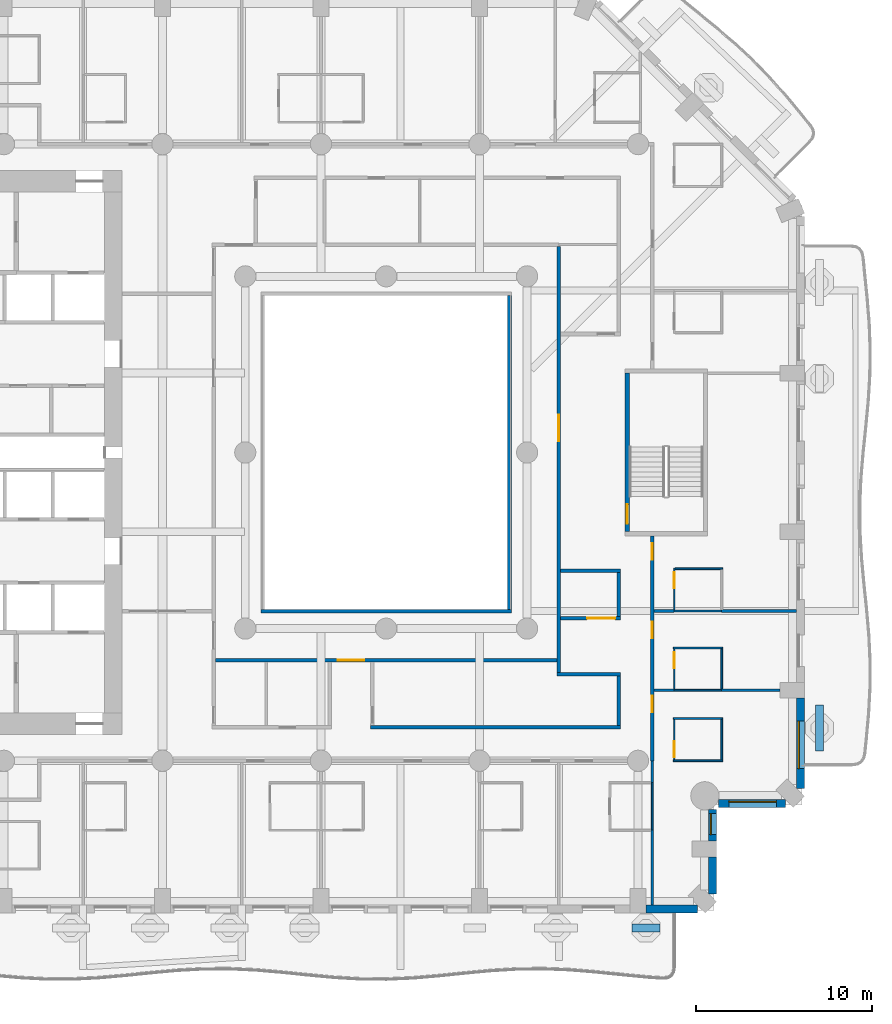
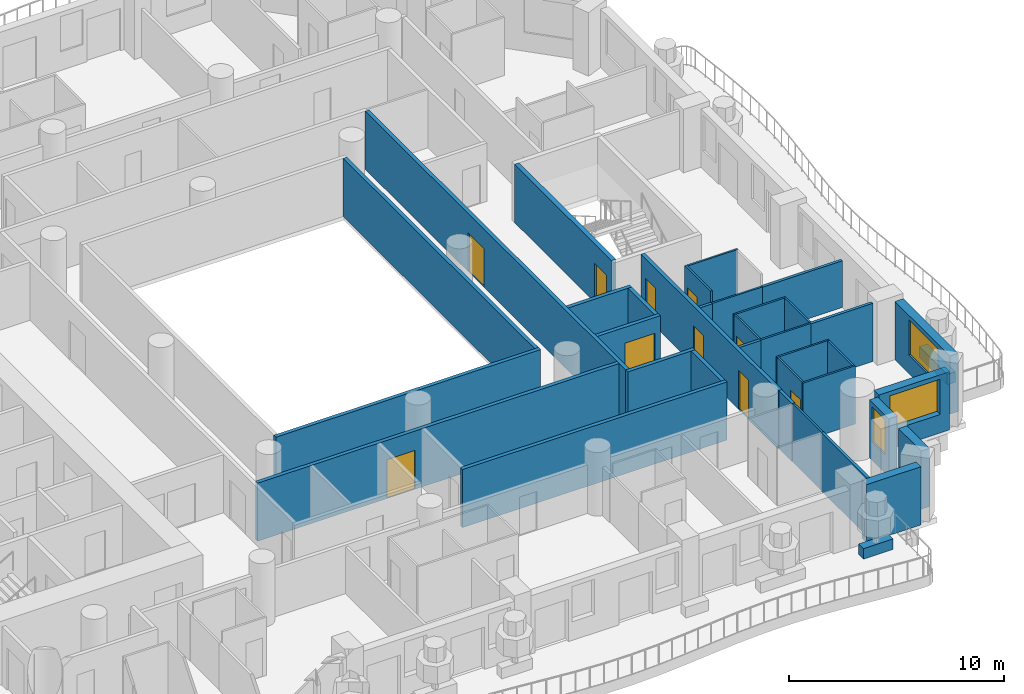
# One storey, part 6 of 20: 37 walls, 10 doors, 3 windows, 13 openings.
"""IFC4 building model written with IfcOpenShell, lengths in metres."""

from ifc_helpers import new_model, si_unit, direction, frame, frame_2d, origin, place, context, subcontext, project, spatial, rectangle, extrude, material, layer, layer_set, type_object, element, fill, save


model = new_model("IFC4")

# Units and contexts
model_context = context("Model", 3, precision=1e-05, world=origin(), true_north=direction((0.0, 1.0)))
body_context = subcontext(model_context, "Body", "Model", "MODEL_VIEW")
ifc_project = project(units=[si_unit("LENGTHUNIT", "METRE"), si_unit("AREAUNIT", "SQUARE_METRE"), si_unit("VOLUMEUNIT", "CUBIC_METRE"), si_unit("PLANEANGLEUNIT", "RADIAN"), si_unit("MASSUNIT", "GRAM", prefix="KILO")], contexts=[model_context])

# Site, building, storey
site_placement = place(None, origin())
site = spatial("IfcSite", under=ifc_project, at=site_placement, CompositionType="ELEMENT")
building_placement = place(site_placement, origin())
building = spatial("IfcBuilding", under=site, at=building_placement, Name="Cypress Arch Tower", CompositionType="ELEMENT")
storey_placement = place(building_placement, frame((0.0, 0.0, 91.5)))
storey = spatial("IfcBuildingStorey", under=building, at=storey_placement, Name="L17", CompositionType="ELEMENT", Elevation=91.5)

# Walls
ifc_material_1 = material(Name="Concrete C40/50, waterproofed", Category="concrete")
ifc_layer_1 = layer(ifc_material_1, 0.449951171875)
ifc_layer_set_1 = layer_set([ifc_layer_1], Name="Balcony planter wall PW450")
wall_type_1 = type_object("IfcWallType", Name="Balcony planter wall PW450", PredefinedType="SOLIDWALL", material=ifc_layer_set_1)
wall_1_placement = place(storey_placement, frame((14.949951171875, -27.0, 0.0), z_axis=(0.0, 0.0, 1.0), x_axis=(1.0, 0.0, 0.0)))
element("IfcWall", 1, at=wall_1_placement, inside=storey, type_object=wall_type_1, Name="Balcony planter wall L17-A03.7", PredefinedType="SOLIDWALL", context=body_context, shape_type="SweptSolid", body=[
    extrude(rectangle(XDim=1.60009765625, YDim=0.449951171875, at=frame_2d((0.800048828125, 0.0))), origin(), (0.0, 0.0, 1.0), 0.60009765625),
])
wall_2_placement = place(storey_placement, frame((25.60009765625, -16.949951171875, 0.0), z_axis=(0.0, 0.0, 1.0), x_axis=(0.0, 1.0, 0.0)))
element("IfcWall", 2, at=wall_2_placement, inside=storey, type_object=wall_type_1, Name="Balcony planter wall L17-A06.1", PredefinedType="SOLIDWALL", context=body_context, shape_type="SweptSolid", body=[
    extrude(rectangle(XDim=2.6142578125, YDim=0.449951171875, at=frame_2d((1.30712890625, 0.0))), origin(), (0.0, 0.0, 1.0), 0.60009765625),
])
ifc_material_2 = material(Name="Brick (red buff blend)", Category="masonry")
ifc_layer_2 = layer(ifc_material_2, 0.449951171875)
ifc_layer_set_2 = layer_set([ifc_layer_2], Name="Brick pier and spandrel wall BW450")
wall_type_2 = type_object("IfcWallType", Name="Brick pier and spandrel wall BW450", PredefinedType="SOLIDWALL", material=ifc_layer_set_2)
wall_3_placement = place(storey_placement, frame((15.75, -25.925048828125, 0.0), z_axis=(0.0, 0.0, 1.0), x_axis=(1.0, 0.0, 0.0)))
element("IfcWall", 3, at=wall_3_placement, inside=storey, type_object=wall_type_2, Name="Brick wall L17 A03.5", PredefinedType="SOLIDWALL", context=body_context, shape_type="SweptSolid", body=[
    extrude(rectangle(XDim=2.91357421875, YDim=0.449951171875, at=frame_2d((1.456787109375, 0.0))), origin(), (0.0, 0.0, 1.0), 3.300048828125),
])
wall_4_placement = place(storey_placement, frame((19.52490234375, -25.063720703125, 0.0), z_axis=(0.0, 0.0, 1.0), x_axis=(0.0, 1.0, 0.0)))
element("IfcWall", 4, at=wall_4_placement, inside=storey, type_object=wall_type_2, Name="Brick wall L17 A04.0", PredefinedType="SOLIDWALL", context=body_context, shape_type="SweptSolid", body=[
    extrude(rectangle(XDim=2.11376953125, YDim=0.449951171875, at=frame_2d((1.056884765625, 0.0))), origin(), (0.0, 0.0, 1.0), 3.300048828125),
])

# Wall, opening, window
wall_5_placement = place(storey_placement, frame((19.52490234375, -22.050048828125, 0.0), z_axis=(0.0, 0.0, 1.0), x_axis=(0.0, 1.0, 0.0)))
wall_5 = element("IfcWall", 5, at=wall_5_placement, inside=storey, type_object=wall_type_2, Name="Brick wall L17 A04.1", PredefinedType="SOLIDWALL", context=body_context, shape_type="SweptSolid", body=[
    extrude(rectangle(XDim=1.79150390625, YDim=0.449951171875, at=frame_2d((0.895751953125, 0.0))), origin(), (0.0, 0.0, 1.0), 3.300048828125),
])
opening_1_placement = place(wall_5_placement, frame((0.35009765625, 0.0, 1.050048828125)))
opening_1 = element("IfcOpeningElement", 6, at=opening_1_placement, cuts=wall_5, Name="Opening W120H", PredefinedType="OPENING", context=body_context, shape_type="SweptSolid", body=[
    extrude(rectangle(XDim=1.199951171875, YDim=2.0, at=frame_2d((0.60009765625, 1.0))), frame((0.0, 0.23486328125, 0.0), z_axis=(0.0, -1.0, 0.0), x_axis=(1.0, 0.0, 0.0)), (0.0, 0.0, 1.0), 0.469970703125),
])
ifc_material_3 = material(Name="Anodised aluminium, bronze finish, clear low-emissivity double glazing", Category="aluminium")
window_type_1 = type_object("IfcWindowType", Name="Window Hotel 1200x2000", PartitioningType="SINGLE_PANEL", PredefinedType="WINDOW", material=ifc_material_3)
window_1_placement = place(opening_1_placement, origin())
window_1 = element("IfcWindow", 7, at=window_1_placement, inside=storey, type_object=window_type_1, Name="Window L17 A04.1.1", OverallHeight=2.0, OverallWidth=1.199951171875, PartitioningType="SINGLE_PANEL", PredefinedType="WINDOW", context=body_context, shape_type="SweptSolid", body=[
    extrude(rectangle(XDim=1.199951171875, YDim=2.0, at=frame_2d((0.60009765625, 1.0))), frame((0.0, 0.135009765625, 0.0), z_axis=(0.0, -1.0, 0.0), x_axis=(1.0, 0.0, 0.0)), (0.0, 0.0, 1.0), 0.06005859375),
])
fill(opening_1, window_1)

wall_6_placement = place(storey_placement, frame((19.8583984375, -19.925048828125, 0.0), z_axis=(0.0, 0.0, 1.0), x_axis=(1.0, 0.0, 0.0)))
wall_6 = element("IfcWall", 8, at=wall_6_placement, inside=storey, type_object=wall_type_2, Name="Brick wall L17 A05.0", PredefinedType="SOLIDWALL", context=body_context, shape_type="SweptSolid", body=[
    extrude(rectangle(XDim=3.80517578125, YDim=0.449951171875, at=frame_2d((1.902587890625, 0.0))), origin(), (0.0, 0.0, 1.0), 3.300048828125),
])
opening_2_placement = place(wall_6_placement, frame((0.591552734375, 0.0, 1.050048828125)))
opening_2 = element("IfcOpeningElement", 9, at=opening_2_placement, cuts=wall_6, Name="Opening W270H", PredefinedType="OPENING", context=body_context, shape_type="SweptSolid", body=[
    extrude(rectangle(XDim=2.699951171875, YDim=2.0, at=frame_2d((1.35009765625, 1.0))), frame((0.0, 0.23486328125, 0.0), z_axis=(0.0, -1.0, 0.0), x_axis=(1.0, 0.0, 0.0)), (0.0, 0.0, 1.0), 0.469970703125),
])
ifc_material_4 = material(Name="Anodised aluminium, bronze finish, clear low-emissivity double glazing", Category="aluminium")
window_type_2 = type_object("IfcWindowType", Name="Window Hotel 2700x2000", PartitioningType="SINGLE_PANEL", PredefinedType="WINDOW", material=ifc_material_4)
window_2_placement = place(opening_2_placement, origin())
window_2 = element("IfcWindow", 10, at=window_2_placement, inside=storey, type_object=window_type_2, Name="Window L17 A05.0.1", OverallHeight=2.0, OverallWidth=2.699951171875, PartitioningType="SINGLE_PANEL", PredefinedType="WINDOW", context=body_context, shape_type="SweptSolid", body=[
    extrude(rectangle(XDim=2.699951171875, YDim=2.0, at=frame_2d((1.35009765625, 1.0))), frame((0.0, 0.135009765625, 0.0), z_axis=(0.0, -1.0, 0.0), x_axis=(1.0, 0.0, 0.0)), (0.0, 0.0, 1.0), 0.06005859375),
])
fill(opening_2, window_2)

wall_7_placement = place(storey_placement, frame((24.52490234375, -19.063720703125, 0.0), z_axis=(0.0, 0.0, 1.0), x_axis=(0.0, 1.0, 0.0)))
wall_7 = element("IfcWall", 11, at=wall_7_placement, inside=storey, type_object=wall_type_2, Name="Brick wall L17 A06.0", PredefinedType="SOLIDWALL", context=body_context, shape_type="SweptSolid", body=[
    extrude(rectangle(XDim=5.11376953125, YDim=0.449951171875, at=frame_2d((2.556884765625, 0.0))), origin(), (0.0, 0.0, 1.0), 3.300048828125),
])
opening_3_placement = place(wall_7_placement, frame((1.113525390625, 0.0, 1.050048828125)))
opening_3 = element("IfcOpeningElement", 12, at=opening_3_placement, cuts=wall_7, Name="Opening W270HD", PredefinedType="OPENING", context=body_context, shape_type="SweptSolid", body=[
    extrude(rectangle(XDim=2.699951171875, YDim=2.0, at=frame_2d((1.35009765625, 1.0))), frame((0.0, 0.23486328125, 0.0), z_axis=(0.0, -1.0, 0.0), x_axis=(1.0, 0.0, 0.0)), (0.0, 0.0, 1.0), 0.469970703125),
])
ifc_material_5 = material(Name="Anodised aluminium, bronze finish, laminated low-emissivity double glazing, large-missile impact rated", Category="aluminium")
window_type_3 = type_object("IfcWindowType", Name="Window Hotel 2700x2000 debris-rated", PartitioningType="SINGLE_PANEL", PredefinedType="WINDOW", material=ifc_material_5)
window_3_placement = place(opening_3_placement, origin())
window_3 = element("IfcWindow", 13, at=window_3_placement, inside=storey, type_object=window_type_3, Name="Window L17 A06.0.1", OverallHeight=2.0, OverallWidth=2.699951171875, PartitioningType="SINGLE_PANEL", PredefinedType="WINDOW", context=body_context, shape_type="SweptSolid", body=[
    extrude(rectangle(XDim=2.699951171875, YDim=2.0, at=frame_2d((1.35009765625, 1.0))), frame((0.0, 0.135009765625, 0.0), z_axis=(0.0, -1.0, 0.0), x_axis=(1.0, 0.0, 0.0)), (0.0, 0.0, 1.0), 0.06005859375),
])
fill(opening_3, window_3)

# Wall, opening, door
ifc_material_6 = material(Name="Concrete blockwork, plastered, rated", Category="masonry")
ifc_layer_3 = layer(ifc_material_6, 0.199951171875)
ifc_layer_set_3 = layer_set([ifc_layer_3], Name="Corridor wall FW200")
wall_type_3 = type_object("IfcWallType", Name="Corridor wall FW200", PredefinedType="PARTITIONING", material=ifc_layer_set_3)
wall_8_placement = place(storey_placement, frame((-8.699951171875, -11.800048828125, 0.0), z_axis=(0.0, 0.0, 1.0), x_axis=(1.0, 0.0, 0.0)))
wall_8 = element("IfcWall", 14, at=wall_8_placement, inside=storey, type_object=wall_type_3, Name="Corridor wall", PredefinedType="PARTITIONING", context=body_context, shape_type="SweptSolid", body=[
    extrude(rectangle(XDim=19.39990234375, YDim=0.199951171875, at=frame_2d((9.699951171875, 0.0))), origin(), (0.0, 0.0, 1.0), 3.300048828125),
])
opening_4_placement = place(wall_8_placement, frame((6.949951171875, 0.0, 0.0)))
opening_4 = element("IfcOpeningElement", 15, at=opening_4_placement, cuts=wall_8, Name="Opening D04", PredefinedType="OPENING", context=body_context, shape_type="SweptSolid", body=[
    extrude(rectangle(XDim=1.5, YDim=2.199951171875, at=frame_2d((0.75, 1.10009765625))), frame((0.0, 0.10986328125, 0.0), z_axis=(0.0, -1.0, 0.0), x_axis=(1.0, 0.0, 0.0)), (0.0, 0.0, 1.0), 0.219970703125),
])
ifc_material_7 = material(Name="Timber double door", Category="wood")
door_type_1 = type_object("IfcDoorType", Name="Double door D04 1500x2200", OperationType="DOUBLE_DOOR_SINGLE_SWING", PredefinedType="DOOR", material=ifc_material_7)
door_1_placement = place(opening_4_placement, origin())
door_1 = element("IfcDoor", 16, at=door_1_placement, inside=storey, type_object=door_type_1, Name="Double door", OperationType="DOUBLE_DOOR_SINGLE_SWING", OverallHeight=2.199951171875, OverallWidth=1.5, PredefinedType="DOOR", context=body_context, shape_type="SweptSolid", body=[
    extrude(rectangle(XDim=1.5, YDim=2.199951171875, at=frame_2d((0.75, 1.10009765625))), frame((0.0, 0.02490234375, 0.0), z_axis=(0.0, -1.0, 0.0), x_axis=(1.0, 0.0, 0.0)), (0.0, 0.0, 1.0), 0.050048828125),
])
fill(opening_4, door_1)

# Walls
wall_9_placement = place(storey_placement, frame((-6.10009765625, -9.0, 0.0), z_axis=(0.0, 0.0, 1.0), x_axis=(1.0, 0.0, 0.0)))
element("IfcWall", 17, at=wall_9_placement, inside=storey, type_object=wall_type_3, Name="Corridor wall", PredefinedType="PARTITIONING", context=body_context, shape_type="SweptSolid", body=[
    extrude(rectangle(XDim=14.2001953125, YDim=0.199951171875, at=frame_2d((7.10009765625, 0.0))), origin(), (0.0, 0.0, 1.0), 3.300048828125),
])
wall_10_placement = place(storey_placement, frame((0.10009765625, -15.60009765625, 0.0), z_axis=(0.0, 0.0, 1.0), x_axis=(1.0, 0.0, 0.0)))
element("IfcWall", 18, at=wall_10_placement, inside=storey, type_object=wall_type_3, Name="Corridor wall", PredefinedType="PARTITIONING", context=body_context, shape_type="SweptSolid", body=[
    extrude(rectangle(XDim=14.199951171875, YDim=0.199951171875, at=frame_2d((7.10009765625, 0.0))), origin(), (0.0, 0.0, 1.0), 3.300048828125),
])
wall_11_placement = place(storey_placement, frame((8.0, -8.89990234375, 0.0), z_axis=(0.0, 0.0, 1.0), x_axis=(0.0, 1.0, 0.0)))
element("IfcWall", 19, at=wall_11_placement, inside=storey, type_object=wall_type_3, Name="Corridor wall", PredefinedType="PARTITIONING", context=body_context, shape_type="SweptSolid", body=[
    extrude(rectangle(XDim=17.7998046875, YDim=0.199951171875, at=frame_2d((8.89990234375, 0.0))), origin(), (0.0, 0.0, 1.0), 3.300048828125),
])

# Wall, opening, door
wall_12_placement = place(storey_placement, frame((10.799072265625, -12.5, 0.0), z_axis=(0.0, 0.0, 1.0), x_axis=(0.0, 1.0, 0.0)))
wall_12 = element("IfcWall", 20, at=wall_12_placement, inside=storey, type_object=wall_type_3, Name="Corridor wall", PredefinedType="PARTITIONING", context=body_context, shape_type="SweptSolid", body=[
    extrude(rectangle(XDim=24.199951171875, YDim=0.199951171875, at=frame_2d((12.10009765625, 0.0))), origin(), (0.0, 0.0, 1.0), 3.300048828125),
])
opening_5_placement = place(wall_12_placement, frame((13.14990234375, 0.0, 0.0)))
opening_5 = element("IfcOpeningElement", 21, at=opening_5_placement, cuts=wall_12, Name="Opening D04", PredefinedType="OPENING", context=body_context, shape_type="SweptSolid", body=[
    extrude(rectangle(XDim=1.5, YDim=2.199951171875, at=frame_2d((0.75, 1.10009765625))), frame((0.0, 0.10986328125, 0.0), z_axis=(0.0, -1.0, 0.0), x_axis=(1.0, 0.0, 0.0)), (0.0, 0.0, 1.0), 0.219970703125),
])
door_2_placement = place(opening_5_placement, origin())
door_2 = element("IfcDoor", 22, at=door_2_placement, inside=storey, type_object=door_type_1, Name="Double door", OperationType="DOUBLE_DOOR_SINGLE_SWING", OverallHeight=2.199951171875, OverallWidth=1.5, PredefinedType="DOOR", context=body_context, shape_type="SweptSolid", body=[
    extrude(rectangle(XDim=1.5, YDim=2.199951171875, at=frame_2d((0.75, 1.10009765625))), frame((0.0, 0.02490234375, 0.0), z_axis=(0.0, -1.0, 0.0), x_axis=(1.0, 0.0, 0.0)), (0.0, 0.0, 1.0), 0.050048828125),
])
fill(opening_5, door_2)

# Wall
wall_13_placement = place(storey_placement, frame((10.698974609375, -12.60009765625, 0.0), z_axis=(0.0, 0.0, 1.0), x_axis=(1.0, 0.0, 0.0)))
element("IfcWall", 23, at=wall_13_placement, inside=storey, type_object=wall_type_3, Name="Corridor wall", PredefinedType="PARTITIONING", context=body_context, shape_type="SweptSolid", body=[
    extrude(rectangle(XDim=3.60107421875, YDim=0.199951171875, at=frame_2d((1.800537109375, 0.0))), origin(), (0.0, 0.0, 1.0), 3.300048828125),
])

# Wall, opening, door
wall_14_placement = place(storey_placement, frame((10.89990234375, -9.39990234375, 0.0), z_axis=(0.0, 0.0, 1.0), x_axis=(1.0, 0.0, 0.0)))
wall_14 = element("IfcWall", 24, at=wall_14_placement, inside=storey, type_object=wall_type_3, Name="Corridor wall", PredefinedType="PARTITIONING", context=body_context, shape_type="SweptSolid", body=[
    extrude(rectangle(XDim=3.400146484375, YDim=0.199951171875, at=frame_2d((1.7001953125, 0.0))), origin(), (0.0, 0.0, 1.0), 3.300048828125),
])
opening_6_placement = place(wall_14_placement, frame((1.5, 0.0, 0.0)))
opening_6 = element("IfcOpeningElement", 25, at=opening_6_placement, cuts=wall_14, Name="Opening D10", PredefinedType="OPENING", context=body_context, shape_type="SweptSolid", body=[
    extrude(rectangle(XDim=1.60009765625, YDim=2.39990234375, at=frame_2d((0.800048828125, 1.199951171875))), frame((0.0, 0.10986328125, 0.0), z_axis=(0.0, -1.0, 0.0), x_axis=(1.0, 0.0, 0.0)), (0.0, 0.0, 1.0), 0.219970703125),
])
ifc_material_8 = material(Name="Black aluminium glazed door", Category="aluminium")
door_type_2 = type_object("IfcDoorType", Name="Amenity door D10 1600x2400", OperationType="DOUBLE_DOOR_SINGLE_SWING", PredefinedType="DOOR", material=ifc_material_8)
door_3_placement = place(opening_6_placement, origin())
door_3 = element("IfcDoor", 26, at=door_3_placement, inside=storey, type_object=door_type_2, Name="Amenity door", OperationType="DOUBLE_DOOR_SINGLE_SWING", OverallHeight=2.39990234375, OverallWidth=1.60009765625, PredefinedType="DOOR", context=body_context, shape_type="SweptSolid", body=[
    extrude(rectangle(XDim=1.60009765625, YDim=2.39990234375, at=frame_2d((0.800048828125, 1.199951171875))), frame((0.0, 0.02490234375, 0.0), z_axis=(0.0, -1.0, 0.0), x_axis=(1.0, 0.0, 0.0)), (0.0, 0.0, 1.0), 0.050048828125),
])
fill(opening_6, door_3)

# Walls
wall_15_placement = place(storey_placement, frame((10.89990234375, -6.72509765625, 0.0), z_axis=(0.0, 0.0, 1.0), x_axis=(1.0, 0.0, 0.0)))
element("IfcWall", 27, at=wall_15_placement, inside=storey, type_object=wall_type_3, Name="Corridor wall", PredefinedType="PARTITIONING", context=body_context, shape_type="SweptSolid", body=[
    extrude(rectangle(XDim=3.400146484375, YDim=0.199951171875, at=frame_2d((1.7001953125, 0.0))), origin(), (0.0, 0.0, 1.0), 3.300048828125),
])
wall_16_placement = place(storey_placement, frame((14.199951171875, -15.5, 0.0), z_axis=(0.0, 0.0, 1.0), x_axis=(0.0, 1.0, 0.0)))
element("IfcWall", 28, at=wall_16_placement, inside=storey, type_object=wall_type_3, Name="Corridor wall", PredefinedType="PARTITIONING", context=body_context, shape_type="SweptSolid", body=[
    extrude(rectangle(XDim=2.800048828125, YDim=0.199951171875, at=frame_2d((1.39990234375, 0.0))), origin(), (0.0, 0.0, 1.0), 3.300048828125),
])
wall_17_placement = place(storey_placement, frame((14.199951171875, -9.300048828125, 0.0), z_axis=(0.0, 0.0, 1.0), x_axis=(0.0, 1.0, 0.0)))
element("IfcWall", 29, at=wall_17_placement, inside=storey, type_object=wall_type_3, Name="Corridor wall", PredefinedType="PARTITIONING", context=body_context, shape_type="SweptSolid", body=[
    extrude(rectangle(XDim=2.47509765625, YDim=0.199951171875, at=frame_2d((1.237548828125, 0.0))), origin(), (0.0, 0.0, 1.0), 3.300048828125),
])

# Wall, openings, doors
wall_18_placement = place(storey_placement, frame((16.10009765625, -17.5, 0.0), z_axis=(0.0, 0.0, 1.0), x_axis=(0.0, 1.0, 0.0)))
wall_18 = element("IfcWall", 30, at=wall_18_placement, inside=storey, type_object=wall_type_3, Name="Corridor wall", PredefinedType="PARTITIONING", context=body_context, shape_type="SweptSolid", body=[
    extrude(rectangle(XDim=12.75, YDim=0.199951171875, at=frame_2d((6.375, 0.0))), origin(), (0.0, 0.0, 1.0), 3.300048828125),
])
opening_7_placement = place(wall_18_placement, frame((2.75, 0.0, 0.0)))
opening_7 = element("IfcOpeningElement", 31, at=opening_7_placement, cuts=wall_18, Name="Opening D02", PredefinedType="OPENING", context=body_context, shape_type="SweptSolid", body=[
    extrude(rectangle(XDim=0.949951171875, YDim=2.199951171875, at=frame_2d((0.47509765625, 1.10009765625))), frame((0.0, 0.10986328125, 0.0), z_axis=(0.0, -1.0, 0.0), x_axis=(1.0, 0.0, 0.0)), (0.0, 0.0, 1.0), 0.219970703125),
])
opening_8_placement = place(wall_18_placement, frame((6.949951171875, 0.0, 0.0)))
opening_8 = element("IfcOpeningElement", 32, at=opening_8_placement, cuts=wall_18, Name="Opening D02", PredefinedType="OPENING", context=body_context, shape_type="SweptSolid", body=[
    extrude(rectangle(XDim=0.949951171875, YDim=2.199951171875, at=frame_2d((0.47509765625, 1.10009765625))), frame((0.0, 0.10986328125, 0.0), z_axis=(0.0, -1.0, 0.0), x_axis=(1.0, 0.0, 0.0)), (0.0, 0.0, 1.0), 0.219970703125),
])
opening_9_placement = place(wall_18_placement, frame((11.39990234375, 0.0, 0.0)))
opening_9 = element("IfcOpeningElement", 33, at=opening_9_placement, cuts=wall_18, Name="Opening D02", PredefinedType="OPENING", context=body_context, shape_type="SweptSolid", body=[
    extrude(rectangle(XDim=0.949951171875, YDim=2.199951171875, at=frame_2d((0.47509765625, 1.10009765625))), frame((0.0, 0.10986328125, 0.0), z_axis=(0.0, -1.0, 0.0), x_axis=(1.0, 0.0, 0.0)), (0.0, 0.0, 1.0), 0.219970703125),
])
ifc_material_9 = material(Name="Timber flush door, fire resisting", Category="wood")
door_type_3 = type_object("IfcDoorType", Name="Room door D02 950x2200", OperationType="SINGLE_SWING_LEFT", PredefinedType="DOOR", material=ifc_material_9)
door_4_placement = place(opening_7_placement, origin())
door_4 = element("IfcDoor", 34, at=door_4_placement, inside=storey, type_object=door_type_3, Name="Room door", OperationType="SINGLE_SWING_LEFT", OverallHeight=2.199951171875, OverallWidth=0.949951171875, PredefinedType="DOOR", context=body_context, shape_type="SweptSolid", body=[
    extrude(rectangle(XDim=0.949951171875, YDim=2.199951171875, at=frame_2d((0.47509765625, 1.10009765625))), frame((0.0, 0.02490234375, 0.0), z_axis=(0.0, -1.0, 0.0), x_axis=(1.0, 0.0, 0.0)), (0.0, 0.0, 1.0), 0.050048828125),
])
fill(opening_7, door_4)
door_5_placement = place(opening_8_placement, origin())
door_5 = element("IfcDoor", 35, at=door_5_placement, inside=storey, type_object=door_type_3, Name="Room door", OperationType="SINGLE_SWING_LEFT", OverallHeight=2.199951171875, OverallWidth=0.949951171875, PredefinedType="DOOR", context=body_context, shape_type="SweptSolid", body=[
    extrude(rectangle(XDim=0.949951171875, YDim=2.199951171875, at=frame_2d((0.47509765625, 1.10009765625))), frame((0.0, 0.02490234375, 0.0), z_axis=(0.0, -1.0, 0.0), x_axis=(1.0, 0.0, 0.0)), (0.0, 0.0, 1.0), 0.050048828125),
])
fill(opening_8, door_5)
door_6_placement = place(opening_9_placement, origin())
door_6 = element("IfcDoor", 36, at=door_6_placement, inside=storey, type_object=door_type_3, Name="Room door", OperationType="SINGLE_SWING_LEFT", OverallHeight=2.199951171875, OverallWidth=0.949951171875, PredefinedType="DOOR", context=body_context, shape_type="SweptSolid", body=[
    extrude(rectangle(XDim=0.949951171875, YDim=2.199951171875, at=frame_2d((0.47509765625, 1.10009765625))), frame((0.0, 0.02490234375, 0.0), z_axis=(0.0, -1.0, 0.0), x_axis=(1.0, 0.0, 0.0)), (0.0, 0.0, 1.0), 0.050048828125),
])
fill(opening_9, door_6)

# Walls
ifc_material_10 = material(Name="Blockwork, plastered both sides", Category="masonry")
ifc_layer_4 = layer(ifc_material_10, 0.14990234375)
ifc_layer_set_4 = layer_set([ifc_layer_4], Name="Partition PW150")
wall_type_4 = type_object("IfcWallType", Name="Partition PW150", PredefinedType="PARTITIONING", material=ifc_layer_set_4)
wall_19_placement = place(storey_placement, frame((16.10009765625, -25.699951171875, 0.0), z_axis=(0.0, 0.0, 1.0), x_axis=(0.0, 1.0, 0.0)))
element("IfcWall", 37, at=wall_19_placement, inside=storey, type_object=wall_type_4, Name="Partition", PredefinedType="PARTITIONING", context=body_context, shape_type="SweptSolid", body=[
    extrude(rectangle(XDim=4.27001953125, YDim=0.14990234375, at=frame_2d((2.135009765625, 0.0))), origin(), (0.0, 0.0, 1.0), 3.300048828125),
])
wall_20_placement = place(storey_placement, frame((16.10009765625, -18.72998046875, 0.0), z_axis=(0.0, 0.0, 1.0), x_axis=(0.0, 1.0, 0.0)))
element("IfcWall", 38, at=wall_20_placement, inside=storey, type_object=wall_type_4, Name="Partition", PredefinedType="PARTITIONING", context=body_context, shape_type="SweptSolid", body=[
    extrude(rectangle(XDim=1.22998046875, YDim=0.14990234375, at=frame_2d((0.614990234375, 0.0))), origin(), (0.0, 0.0, 1.0), 3.300048828125),
])
wall_21_placement = place(storey_placement, frame((16.199951171875, -13.5, 0.0), z_axis=(0.0, 0.0, 1.0), x_axis=(1.0, 0.0, 0.0)))
element("IfcWall", 39, at=wall_21_placement, inside=storey, type_object=wall_type_4, Name="Partition", PredefinedType="PARTITIONING", context=body_context, shape_type="SweptSolid", body=[
    extrude(rectangle(XDim=1.130126953125, YDim=0.14990234375, at=frame_2d((0.56494140625, 0.0))), origin(), (0.0, 0.0, 1.0), 3.300048828125),
])
wall_22_placement = place(storey_placement, frame((16.199951171875, -9.0, 0.0), z_axis=(0.0, 0.0, 1.0), x_axis=(1.0, 0.0, 0.0)))
element("IfcWall", 40, at=wall_22_placement, inside=storey, type_object=wall_type_4, Name="Partition", PredefinedType="PARTITIONING", context=body_context, shape_type="SweptSolid", body=[
    extrude(rectangle(XDim=1.130126953125, YDim=0.14990234375, at=frame_2d((0.56494140625, 0.0))), origin(), (0.0, 0.0, 1.0), 2.64990234375),
])
wall_23_placement = place(storey_placement, frame((20.030029296875, -13.5, 0.0), z_axis=(0.0, 0.0, 1.0), x_axis=(1.0, 0.0, 0.0)))
element("IfcWall", 41, at=wall_23_placement, inside=storey, type_object=wall_type_4, Name="Partition", PredefinedType="PARTITIONING", context=body_context, shape_type="SweptSolid", body=[
    extrude(rectangle(XDim=3.320068359375, YDim=0.14990234375, at=frame_2d((1.66015625, 0.0))), origin(), (0.0, 0.0, 1.0), 3.300048828125),
])
wall_24_placement = place(storey_placement, frame((20.030029296875, -9.0, 0.0), z_axis=(0.0, 0.0, 1.0), x_axis=(1.0, 0.0, 0.0)))
element("IfcWall", 42, at=wall_24_placement, inside=storey, type_object=wall_type_4, Name="Partition", PredefinedType="PARTITIONING", context=body_context, shape_type="SweptSolid", body=[
    extrude(rectangle(XDim=4.27001953125, YDim=0.14990234375, at=frame_2d((2.135009765625, 0.0))), origin(), (0.0, 0.0, 1.0), 2.64990234375),
])

# Wall, opening, door
ifc_material_11 = material(Name="Concrete C50/60", Category="concrete")
ifc_layer_5 = layer(ifc_material_11, 0.25)
ifc_layer_set_5 = layer_set([ifc_layer_5], Name="Stair enclosure wall SW250")
wall_type_5 = type_object("IfcWallType", Name="Stair enclosure wall SW250", PredefinedType="SHEAR", material=ifc_layer_set_5)
wall_25_placement = place(storey_placement, frame((14.675048828125, -4.5, 0.0), z_axis=(0.0, 0.0, 1.0), x_axis=(0.0, 1.0, 0.0)))
wall_25 = element("IfcWall", 43, at=wall_25_placement, inside=storey, type_object=wall_type_5, Name="Stair enclosure wall", PredefinedType="SHEAR", context=body_context, shape_type="SweptSolid", body=[
    extrude(rectangle(XDim=9.0, YDim=0.25, at=frame_2d((4.5, 0.0))), origin(), (0.0, 0.0, 1.0), 3.300048828125),
])
opening_10_placement = place(wall_25_placement, frame((0.449951171875, 0.0, 0.0)))
opening_10 = element("IfcOpeningElement", 44, at=opening_10_placement, cuts=wall_25, Name="Opening D06", PredefinedType="OPENING", context=body_context, shape_type="SweptSolid", body=[
    extrude(rectangle(XDim=1.10009765625, YDim=2.199951171875, at=frame_2d((0.550048828125, 1.10009765625))), frame((0.0, 0.135009765625, 0.0), z_axis=(0.0, -1.0, 0.0), x_axis=(1.0, 0.0, 0.0)), (0.0, 0.0, 1.0), 0.27001953125),
])
ifc_material_12 = material(Name="Steel door, fire resisting, panic bar", Category="steel")
door_type_4 = type_object("IfcDoorType", Name="Stair door D06 1100x2200", OperationType="SINGLE_SWING_LEFT", PredefinedType="DOOR", material=ifc_material_12)
door_7_placement = place(opening_10_placement, origin())
door_7 = element("IfcDoor", 45, at=door_7_placement, inside=storey, type_object=door_type_4, Name="Stair door", OperationType="SINGLE_SWING_RIGHT", OverallHeight=2.199951171875, OverallWidth=1.10009765625, PredefinedType="DOOR", context=body_context, shape_type="SweptSolid", body=[
    extrude(rectangle(XDim=1.10009765625, YDim=2.199951171875, at=frame_2d((0.550048828125, 1.10009765625))), frame((0.0, 0.02490234375, 0.0), z_axis=(0.0, -1.0, 0.0), x_axis=(1.0, 0.0, 0.0)), (0.0, 0.0, 1.0), 0.050048828125),
])
fill(opening_10, door_7)

# Walls
ifc_material_13 = material(Name="Moisture resistant board on steel studs, tiled", Category="steel")
ifc_layer_6 = layer(ifc_material_13, 0.10009765625)
ifc_layer_set_6 = layer_set([ifc_layer_6], Name="Wet wall PW100")
wall_type_6 = type_object("IfcWallType", Name="Wet wall PW100", PredefinedType="PARTITIONING", material=ifc_layer_set_6)
for number, where, z_axis, x_axis, name in (
    (46, (16.10009765625, -21.429931640625, 0.0), (0.0, 0.0, 1.0), (0.0, 1.0, 0.0), "Wet wall"),
    (47, (17.330078125, -13.5, 0.0), (0.0, 0.0, 1.0), (1.0, 0.0, 0.0), "Wet wall"),
):
    element("IfcWall", number, at=place(storey_placement, frame(where, z_axis=z_axis, x_axis=x_axis)), inside=storey, type_object=wall_type_6, Name=name, PredefinedType="PARTITIONING", context=body_context, shape_type="SweptSolid", body=[
        extrude(rectangle(XDim=2.699951171875, YDim=0.10009765625, at=frame_2d((1.35009765625, 0.0))), origin(), (0.0, 0.0, 1.0), 3.300048828125),
    ])
wall_26_placement = place(storey_placement, frame((17.330078125, -9.0, 0.0), z_axis=(0.0, 0.0, 1.0), x_axis=(1.0, 0.0, 0.0)))
element("IfcWall", 48, at=wall_26_placement, inside=storey, type_object=wall_type_6, Name="Wet wall", PredefinedType="PARTITIONING", context=body_context, shape_type="SweptSolid", body=[
    extrude(rectangle(XDim=2.699951171875, YDim=0.10009765625, at=frame_2d((1.35009765625, 0.0))), origin(), (0.0, 0.0, 1.0), 2.64990234375),
])

# Wall, opening, door
wall_27_placement = place(storey_placement, frame((17.35009765625, -17.449951171875, 0.0), z_axis=(0.0, 0.0, 1.0), x_axis=(0.0, 1.0, 0.0)))
wall_27 = element("IfcWall", 49, at=wall_27_placement, inside=storey, type_object=wall_type_6, Name="Wet wall", PredefinedType="PARTITIONING", context=body_context, shape_type="SweptSolid", body=[
    extrude(rectangle(XDim=2.300048828125, YDim=0.10009765625, at=frame_2d((1.14990234375, 0.0))), origin(), (0.0, 0.0, 1.0), 3.300048828125),
])
opening_11_placement = place(wall_27_placement, frame((0.14990234375, 0.0, 0.0)))
opening_11 = element("IfcOpeningElement", 50, at=opening_11_placement, cuts=wall_27, Name="Opening D03", PredefinedType="OPENING", context=body_context, shape_type="SweptSolid", body=[
    extrude(rectangle(XDim=0.89990234375, YDim=2.199951171875, at=frame_2d((0.449951171875, 1.10009765625))), frame((0.0, 0.06005859375, 0.0), z_axis=(0.0, -1.0, 0.0), x_axis=(1.0, 0.0, 0.0)), (0.0, 0.0, 1.0), 0.1201171875),
])
ifc_material_14 = material(Name="Timber flush door, moisture resistant", Category="wood")
door_type_5 = type_object("IfcDoorType", Name="Bathroom door D03 900x2200", OperationType="SINGLE_SWING_LEFT", PredefinedType="DOOR", material=ifc_material_14)
door_8_placement = place(opening_11_placement, origin())
door_8 = element("IfcDoor", 51, at=door_8_placement, inside=storey, type_object=door_type_5, Name="Bathroom door", OperationType="SINGLE_SWING_RIGHT", OverallHeight=2.199951171875, OverallWidth=0.89990234375, PredefinedType="DOOR", context=body_context, shape_type="SweptSolid", body=[
    extrude(rectangle(XDim=0.89990234375, YDim=2.199951171875, at=frame_2d((0.449951171875, 1.10009765625))), frame((0.0, 0.02490234375, 0.0), z_axis=(0.0, -1.0, 0.0), x_axis=(1.0, 0.0, 0.0)), (0.0, 0.0, 1.0), 0.050048828125),
])
fill(opening_11, door_8)

# Walls
for number, where, z_axis, x_axis, name in (
    (52, (17.300048828125, -17.5, 0.0), (0.0, 0.0, 1.0), (1.0, 0.0, 0.0), "Wet wall"),
    (53, (17.300048828125, -15.10009765625, 0.0), (0.0, 0.0, 1.0), (1.0, 0.0, 0.0), "Wet wall"),
):
    element("IfcWall", number, at=place(storey_placement, frame(where, z_axis=z_axis, x_axis=x_axis)), inside=storey, type_object=wall_type_6, Name=name, PredefinedType="PARTITIONING", context=body_context, shape_type="SweptSolid", body=[
        extrude(rectangle(XDim=2.800048828125, YDim=0.10009765625, at=frame_2d((1.39990234375, 0.0))), origin(), (0.0, 0.0, 1.0), 3.300048828125),
    ])

# Wall, opening, door
wall_28_placement = place(storey_placement, frame((17.35009765625, -13.449951171875, 0.0), z_axis=(0.0, 0.0, 1.0), x_axis=(0.0, 1.0, 0.0)))
wall_28 = element("IfcWall", 54, at=wall_28_placement, inside=storey, type_object=wall_type_6, Name="Wet wall", PredefinedType="PARTITIONING", context=body_context, shape_type="SweptSolid", body=[
    extrude(rectangle(XDim=2.2958984375, YDim=0.10009765625, at=frame_2d((1.14794921875, 0.0))), origin(), (0.0, 0.0, 1.0), 3.300048828125),
])
opening_12_placement = place(wall_28_placement, frame((1.199951171875, 0.0, 0.0)))
opening_12 = element("IfcOpeningElement", 55, at=opening_12_placement, cuts=wall_28, Name="Opening D03", PredefinedType="OPENING", context=body_context, shape_type="SweptSolid", body=[
    extrude(rectangle(XDim=0.89990234375, YDim=2.199951171875, at=frame_2d((0.449951171875, 1.10009765625))), frame((0.0, 0.06005859375, 0.0), z_axis=(0.0, -1.0, 0.0), x_axis=(1.0, 0.0, 0.0)), (0.0, 0.0, 1.0), 0.1201171875),
])
door_9_placement = place(opening_12_placement, origin())
door_9 = element("IfcDoor", 56, at=door_9_placement, inside=storey, type_object=door_type_5, Name="Bathroom door", OperationType="SINGLE_SWING_LEFT", OverallHeight=2.199951171875, OverallWidth=0.89990234375, PredefinedType="DOOR", context=body_context, shape_type="SweptSolid", body=[
    extrude(rectangle(XDim=0.89990234375, YDim=2.199951171875, at=frame_2d((0.449951171875, 1.10009765625))), frame((0.0, 0.02490234375, 0.0), z_axis=(0.0, -1.0, 0.0), x_axis=(1.0, 0.0, 0.0)), (0.0, 0.0, 1.0), 0.050048828125),
])
fill(opening_12, door_9)

# Wall
wall_29_placement = place(storey_placement, frame((17.300048828125, -11.10400390625, 0.0), z_axis=(0.0, 0.0, 1.0), x_axis=(1.0, 0.0, 0.0)))
element("IfcWall", 57, at=wall_29_placement, inside=storey, type_object=wall_type_6, Name="Wet wall", PredefinedType="PARTITIONING", context=body_context, shape_type="SweptSolid", body=[
    extrude(rectangle(XDim=2.800048828125, YDim=0.10009765625, at=frame_2d((1.39990234375, 0.0))), origin(), (0.0, 0.0, 1.0), 3.300048828125),
])

# Wall, opening, door
wall_30_placement = place(storey_placement, frame((17.35009765625, -8.949951171875, 0.0), z_axis=(0.0, 0.0, 1.0), x_axis=(0.000407580973, 0.999999916939, 0.0)))
wall_30 = element("IfcWall", 58, at=wall_30_placement, inside=storey, type_object=wall_type_6, Name="Wet wall", PredefinedType="PARTITIONING", context=body_context, shape_type="SweptSolid", body=[
    extrude(rectangle(XDim=2.39599609375, YDim=0.10009765625, at=frame_2d((1.197998046875, 0.0))), origin(), (0.0, 0.0, 1.0), 3.300048828125),
])
opening_13_placement = place(wall_30_placement, frame((1.25, 0.0, 0.0)))
opening_13 = element("IfcOpeningElement", 59, at=opening_13_placement, cuts=wall_30, Name="Opening D03", PredefinedType="OPENING", context=body_context, shape_type="SweptSolid", body=[
    extrude(rectangle(XDim=0.89990234375, YDim=2.199951171875, at=frame_2d((0.449951171875, 1.10009765625))), frame((0.0, 0.06005859375, 0.0), z_axis=(0.0, -1.0, 0.0), x_axis=(1.0, 0.0, 0.0)), (0.0, 0.0, 1.0), 0.1201171875),
])
door_10_placement = place(opening_13_placement, origin())
door_10 = element("IfcDoor", 60, at=door_10_placement, inside=storey, type_object=door_type_5, Name="Bathroom door", OperationType="SINGLE_SWING_LEFT", OverallHeight=2.199951171875, OverallWidth=0.89990234375, PredefinedType="DOOR", context=body_context, shape_type="SweptSolid", body=[
    extrude(rectangle(XDim=0.89990234375, YDim=2.199951171875, at=frame_2d((0.449951171875, 1.10009765625))), frame((0.0, 0.02490234375, 0.0), z_axis=(0.0, -1.0, 0.0), x_axis=(1.0, 0.0, 0.0)), (0.0, 0.0, 1.0), 0.050048828125),
])
fill(opening_13, door_10)

# Walls
wall_31_placement = place(storey_placement, frame((17.40087890625, -6.60400390625, 0.0), z_axis=(0.0, 0.0, 1.0), x_axis=(0.9999999346, -0.000361663629, 0.0)))
element("IfcWall", 61, at=wall_31_placement, inside=storey, type_object=wall_type_6, Name="Wet wall", PredefinedType="PARTITIONING", context=body_context, shape_type="SweptSolid", body=[
    extrude(rectangle(XDim=2.7001953125, YDim=0.10009765625, at=frame_2d((1.35009765625, 0.0))), origin(), (0.0, 0.0, 1.0), 3.300048828125),
])
wall_32_placement = place(storey_placement, frame((20.050048828125, -17.449951171875, 0.0), z_axis=(0.0, 0.0, 1.0), x_axis=(0.0, 1.0, 0.0)))
element("IfcWall", 62, at=wall_32_placement, inside=storey, type_object=wall_type_6, Name="Wet wall", PredefinedType="PARTITIONING", context=body_context, shape_type="SweptSolid", body=[
    extrude(rectangle(XDim=2.300048828125, YDim=0.10009765625, at=frame_2d((1.14990234375, 0.0))), origin(), (0.0, 0.0, 1.0), 3.300048828125),
])
wall_33_placement = place(storey_placement, frame((20.050048828125, -13.425048828125, 0.0), z_axis=(0.0, 0.0, 1.0), x_axis=(0.0, 1.0, 0.0)))
element("IfcWall", 63, at=wall_33_placement, inside=storey, type_object=wall_type_6, Name="Wet wall", PredefinedType="PARTITIONING", context=body_context, shape_type="SweptSolid", body=[
    extrude(rectangle(XDim=2.27099609375, YDim=0.10009765625, at=frame_2d((1.135498046875, 0.0))), origin(), (0.0, 0.0, 1.0), 3.300048828125),
])

save(model, "model.ifc")
